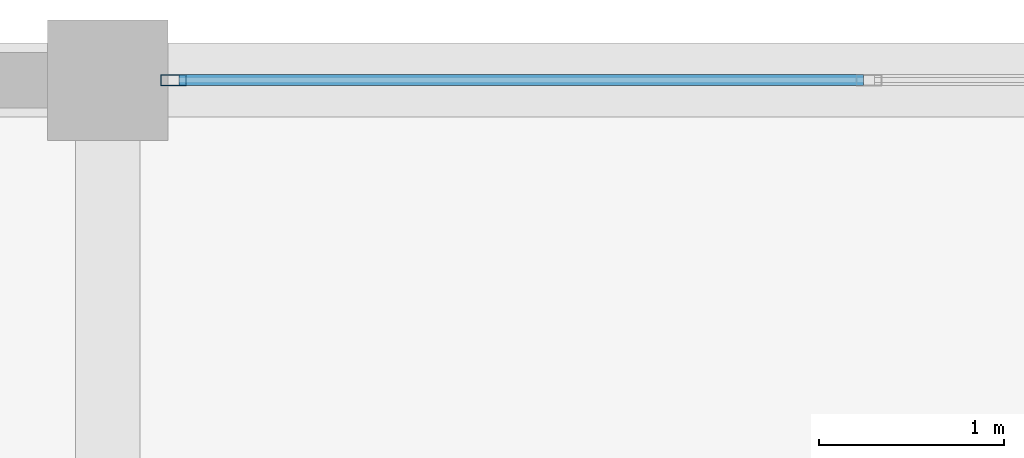
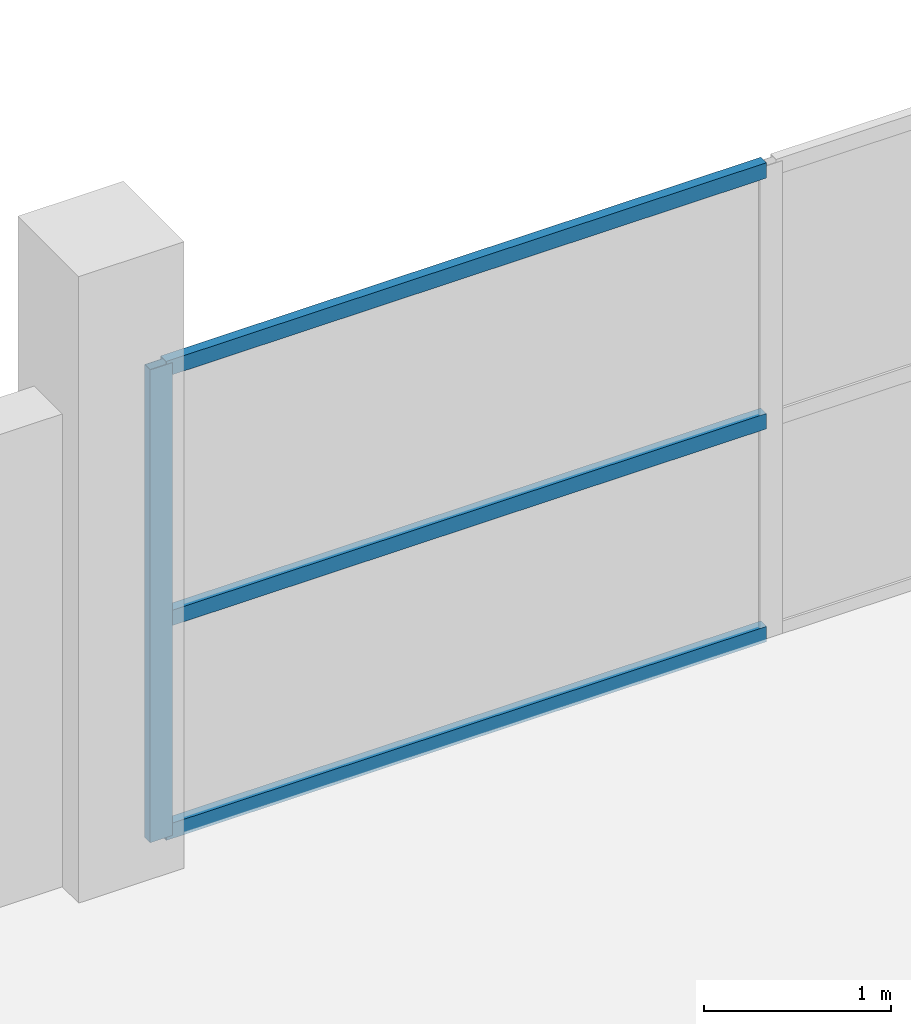
# One storey, part 49 of 70: 4 members, 1 element without a shape of its own.
"""IFC4 building model written with IfcOpenShell, lengths in metres."""

from ifc_helpers import new_model, si_unit, direction, frame, origin, origin_2d, place, context, subcontext, project, spatial, hollow_rectangle, extrude, material, layer, layer_set, material_profile, profile_set, type_object, element, aggregate, save


model = new_model("IFC4")

# Units and contexts
model_context = context("Model", 3, precision=1e-05, world=origin(), true_north=direction((0.0, 1.0)))
body_context = subcontext(model_context, "Body", "Model", "MODEL_VIEW")
ifc_project = project(units=[si_unit("LENGTHUNIT", "METRE"), si_unit("AREAUNIT", "SQUARE_METRE"), si_unit("VOLUMEUNIT", "CUBIC_METRE"), si_unit("PLANEANGLEUNIT", "RADIAN"), si_unit("MASSUNIT", "GRAM", prefix="KILO")], contexts=[model_context])

# Site, building, storey
site_placement = place(None, origin())
site = spatial("IfcSite", under=ifc_project, at=site_placement, CompositionType="ELEMENT")
building_placement = place(site_placement, origin())
building = spatial("IfcBuilding", under=site, at=building_placement, Name="Sillaruma Civic Art Gallery", CompositionType="ELEMENT")
storey_placement = place(building_placement, frame((0.0, 0.0, 66.300048828125)))
storey = spatial("IfcBuildingStorey", under=building, at=storey_placement, Name="L13", CompositionType="ELEMENT", Elevation=66.300048828125)

# Curtain wall, members
ifc_material = material(Name="Thermally Broken Extruded Aluminium 6063-T6", Category="aluminium")
ifc_layer = layer(ifc_material, 0.139892578125, Name="Thermally Broken Extruded Aluminium 6063-T6")
ifc_layer_set = layer_set([ifc_layer], Name="Thermally Broken Extruded Aluminium 6063-T6")
curtain_wall_type = type_object("IfcCurtainWallType", Name="CW-UNI-107", PredefinedType="NOTDEFINED", material=ifc_layer_set)
curtain_wall_placement = place(storey_placement, origin())
curtain_wall = element("IfcCurtainWall", 1, at=curtain_wall_placement, inside=storey, type_object=curtain_wall_type, Name="Unitised Curtain Wall CW-107 (CW-L13-EBN-2)", PredefinedType="NOTDEFINED")
ifc_material_profile_1 = material_profile(ifc_material, hollow_rectangle(XDim=0.06005859375, YDim=0.139892578125, WallThickness=0.00341796875, at=origin_2d()), Name="CWM60x140")
ifc_profile_set_1 = profile_set([ifc_material_profile_1], Name="Thermally Broken Extruded Aluminium 6063-T6")
member_type_1 = type_object("IfcMemberType", Name="MEM-MUL-CWM60x140", PredefinedType="MULLION", material=ifc_profile_set_1)
member_1_placement = place(storey_placement, frame((106.554931640625, 99.0, 0.0), z_axis=(0.0, 0.0, 1.0), x_axis=(0.0, 1.0, 0.0)))
member_1 = element("IfcMember", 2, at=member_1_placement, type_object=member_type_1, Name="CW-107 mullion 1", PredefinedType="MULLION", context=body_context, shape_type="SweptSolid", body=[
    extrude(hollow_rectangle(XDim=0.06005859375, YDim=0.139892578125, WallThickness=0.00341796875, at=origin_2d()), origin(), (0.0, 0.0, 1.0), 3.079833984375),
])
ifc_material_profile_2 = material_profile(ifc_material, hollow_rectangle(XDim=0.06005859375, YDim=0.10009765625, WallThickness=0.003173828125, at=origin_2d()), Name="CWT60x100")
ifc_profile_set_2 = profile_set([ifc_material_profile_2], Name="Thermally Broken Extruded Aluminium 6063-T6")
member_type_2 = type_object("IfcMemberType", Name="MEM-TRN-CWT60x100", PredefinedType="USERDEFINED", material=ifc_profile_set_2)
member_2_placement = place(storey_placement, frame((106.5849609375, 99.0, 0.030029296875), z_axis=(1.0, 0.0, 0.0), x_axis=(0.0, 1.0, 0.0)))
member_2 = element("IfcMember", 3, at=member_2_placement, type_object=member_type_2, Name="CW-107 transom 1.1", ObjectType="TRANSOM", PredefinedType="USERDEFINED", context=body_context, shape_type="SweptSolid", body=[
    extrude(hollow_rectangle(XDim=0.06005859375, YDim=0.10009765625, WallThickness=0.003173828125, at=origin_2d()), origin(), (0.0, 0.0, 1.0), 3.697509765625),
])
member_3_placement = place(storey_placement, frame((106.5849609375, 99.0, 1.416748046875), z_axis=(1.0, 0.0, 0.0), x_axis=(0.0, 1.0, 0.0)))
member_3 = element("IfcMember", 4, at=member_3_placement, type_object=member_type_2, Name="CW-107 transom 1.2", ObjectType="TRANSOM", PredefinedType="USERDEFINED", context=body_context, shape_type="SweptSolid", body=[
    extrude(hollow_rectangle(XDim=0.06005859375, YDim=0.10009765625, WallThickness=0.003173828125, at=origin_2d()), origin(), (0.0, 0.0, 1.0), 3.697509765625),
])
member_4_placement = place(storey_placement, frame((106.5849609375, 99.0, 3.050048828125), z_axis=(1.0, 0.0, 0.0), x_axis=(0.0, 1.0, 0.0)))
member_4 = element("IfcMember", 5, at=member_4_placement, type_object=member_type_2, Name="CW-107 transom 1.3", ObjectType="TRANSOM", PredefinedType="USERDEFINED", context=body_context, shape_type="SweptSolid", body=[
    extrude(hollow_rectangle(XDim=0.06005859375, YDim=0.10009765625, WallThickness=0.003173828125, at=origin_2d()), origin(), (0.0, 0.0, 1.0), 3.697509765625),
])
aggregate(curtain_wall, [member_1, member_2, member_3, member_4])

save(model, "model.ifc")
